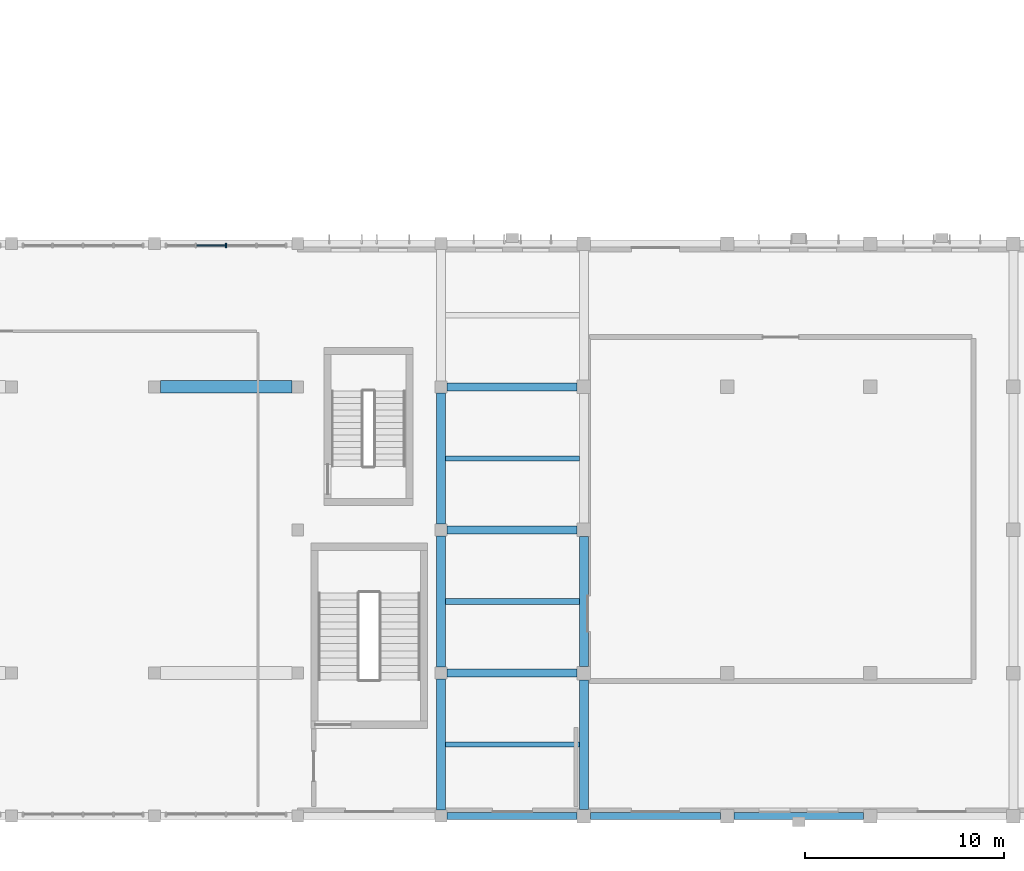
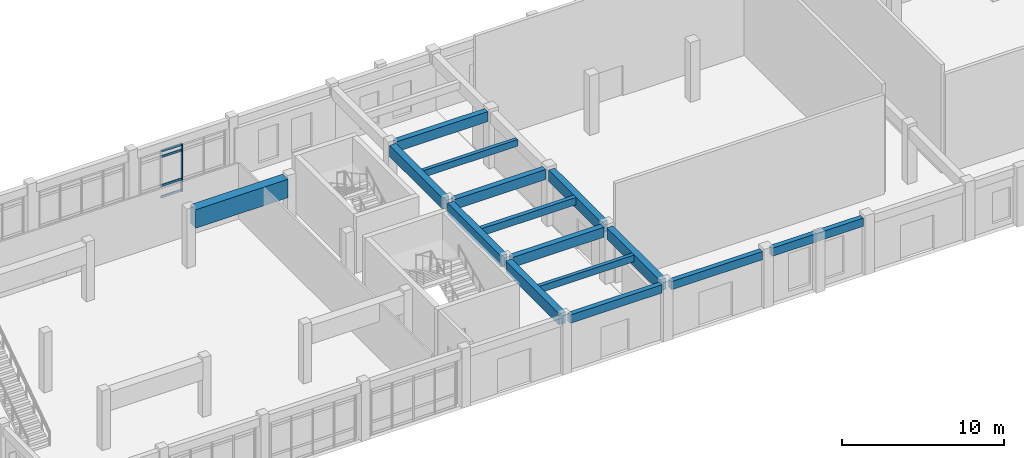
# One storey, part 13 of 43: 15 beams, 5 members, 1 element without a shape of its own.
"""IFC4 building model written with IfcOpenShell, lengths in metres."""

from ifc_helpers import new_model, si_unit, direction, frame, origin, origin_2d, place, context, subcontext, project, spatial, rectangle, extrude, material, material_profile, profile_set, type_object, element, aggregate, save


model = new_model("IFC4")

# Units and contexts
model_context = context("Model", 3, precision=1e-05, world=origin(), true_north=direction((0.0, 1.0)))
body_context = subcontext(model_context, "Body", "Model", "MODEL_VIEW")
ifc_project = project(units=[si_unit("LENGTHUNIT", "METRE"), si_unit("AREAUNIT", "SQUARE_METRE"), si_unit("VOLUMEUNIT", "CUBIC_METRE"), si_unit("PLANEANGLEUNIT", "RADIAN"), si_unit("MASSUNIT", "GRAM", prefix="KILO")], contexts=[model_context])

# Site, building, storey
site_placement = place(None, origin())
site = spatial("IfcSite", under=ifc_project, at=site_placement, CompositionType="ELEMENT")
building_placement = place(site_placement, origin())
building = spatial("IfcBuilding", under=site, at=building_placement, Name="Alvorim Cloister Faculty of Sciences", CompositionType="ELEMENT")
storey_placement = place(building_placement, origin())
storey = spatial("IfcBuildingStorey", under=building, at=storey_placement, Name="L00", CompositionType="ELEMENT", Elevation=0.0)

# Beams
ifc_material_1 = material(Name="Concrete C40", Category="concrete")
ifc_material_profile_1 = material_profile(ifc_material_1, rectangle(XDim=0.260009765625, YDim=0.5, at=origin_2d()), Name="RC40-JST-260x500")
ifc_profile_set_1 = profile_set([ifc_material_profile_1], Name="Concrete C40")
beam_type_1 = type_object("IfcBeamType", Name="BM-JST-RC-260x500", PredefinedType="JOIST", material=ifc_profile_set_1)
for number, where, z_axis, x_axis, name in (
    (1, (108.22509765625, 3.60009765625, 4.0), (1.0, 0.0, 0.0), (0.0, 1.0, 0.0), "L00 Secondary Floor Joist BM-0879"),
    (2, (108.22509765625, 18.0, 4.0), (1.0, 0.0, 0.0), (0.0, 1.0, 0.0), "L00 Secondary Floor Joist BM-0881"),
):
    element("IfcBeam", number, at=place(storey_placement, frame(where, z_axis=z_axis, x_axis=x_axis)), inside=storey, type_object=beam_type_1, Name=name, PredefinedType="JOIST", context=body_context, shape_type="SweptSolid", body=[
        extrude(rectangle(XDim=0.260009765625, YDim=0.5, at=origin_2d()), origin(), (0.0, 0.0, 1.0), 6.75),
    ])
ifc_material_profile_2 = material_profile(ifc_material_1, rectangle(XDim=0.300048828125, YDim=0.550048828125, at=origin_2d()), Name="RC40-JST-300x550")
ifc_profile_set_2 = profile_set([ifc_material_profile_2], Name="Concrete C40")
beam_type_2 = type_object("IfcBeamType", Name="BM-JST-RC-300x550", PredefinedType="JOIST", material=ifc_profile_set_2)
beam_1_placement = place(storey_placement, frame((108.22509765625, 10.800048828125, 3.97509765625), z_axis=(1.0, 0.0, 0.0), x_axis=(0.0, 1.0, 0.0)))
element("IfcBeam", 3, at=beam_1_placement, inside=storey, type_object=beam_type_2, Name="L00 Secondary Floor Joist BM-0880", PredefinedType="JOIST", context=body_context, shape_type="SweptSolid", body=[
    extrude(rectangle(XDim=0.300048828125, YDim=0.550048828125, at=origin_2d()), origin(), (0.0, 0.0, 1.0), 6.75),
])
ifc_material_profile_3 = material_profile(ifc_material_1, rectangle(XDim=0.39990234375, YDim=0.75, at=origin_2d()), Name="RC40-BM-400x750")
ifc_profile_set_3 = profile_set([ifc_material_profile_3], Name="Concrete C40")
beam_type_3 = type_object("IfcBeamType", Name="BM-RC-400x750", PredefinedType="BEAM", material=ifc_profile_set_3)
for number, where, z_axis, x_axis, name in (
    (4, (108.300048828125, 7.199951171875, 3.875), (1.0, 0.0, 0.0), (0.0, 1.0, 0.0), "L00 Primary Beam BM-0618"),
    (5, (108.300048828125, 14.39990234375, 3.875), (1.0, 0.0, 0.0), (0.0, 1.0, 0.0), "L00 Primary Beam BM-0627"),
    (6, (108.300048828125, 21.60009765625, 3.875), (1.0, 0.0, 0.0), (0.0, 1.0, 0.0), "L00 Primary Beam BM-0631"),
):
    element("IfcBeam", number, at=place(storey_placement, frame(where, z_axis=z_axis, x_axis=x_axis)), inside=storey, type_object=beam_type_3, Name=name, PredefinedType="BEAM", context=body_context, shape_type="SweptSolid", body=[
        extrude(rectangle(XDim=0.39990234375, YDim=0.75, at=origin_2d()), origin(), (0.0, 0.0, 1.0), 6.56005859375),
    ])
ifc_material_profile_4 = material_profile(ifc_material_1, rectangle(XDim=0.449951171875, YDim=0.85009765625, at=origin_2d()), Name="RC40-BM-450x850")
ifc_profile_set_4 = profile_set([ifc_material_profile_4], Name="Concrete C40")
beam_type_4 = type_object("IfcBeamType", Name="BM-RC-450x850", PredefinedType="BEAM", material=ifc_profile_set_4)
beam_2_placement = place(storey_placement, frame((108.0, 0.300048828125, 3.824951171875), z_axis=(0.0, 1.0, 0.0), x_axis=(-1.0, 0.0, 0.0)))
element("IfcBeam", 7, at=beam_2_placement, inside=storey, type_object=beam_type_4, Name="L00 Primary Girder BM-0798", PredefinedType="BEAM", context=body_context, shape_type="SweptSolid", body=[
    extrude(rectangle(XDim=0.449951171875, YDim=0.85009765625, at=origin_2d()), origin(), (0.0, 0.0, 1.0), 6.599853515625),
])
for number, where, z_axis, x_axis, name in (
    (8, (108.0, 7.5, 3.824951171875), (0.0, 1.0, 0.0), (-1.0, 0.0, 0.0), "L00 Primary Girder BM-0799"),
    (9, (108.0, 14.699951171875, 3.824951171875), (0.0, 1.0, 0.0), (-1.0, 0.0, 0.0), "L00 Primary Girder BM-0800"),
):
    element("IfcBeam", number, at=place(storey_placement, frame(where, z_axis=z_axis, x_axis=x_axis)), inside=storey, type_object=beam_type_4, Name=name, PredefinedType="BEAM", context=body_context, shape_type="SweptSolid", body=[
        extrude(rectangle(XDim=0.449951171875, YDim=0.85009765625, at=origin_2d()), origin(), (0.0, 0.0, 1.0), 6.60009765625),
    ])
for number, where, z_axis, x_axis, name in (
    (10, (115.199951171875, 0.340087890625, 3.824951171875), (0.0, 1.0, 0.0), (-1.0, 0.0, 0.0), "L00 Primary Girder BM-0802"),
    (11, (115.199951171875, 7.5400390625, 3.824951171875), (0.0, 1.0, 0.0), (-1.0, 0.0, 0.0), "L00 Primary Girder BM-0803"),
):
    element("IfcBeam", number, at=place(storey_placement, frame(where, z_axis=z_axis, x_axis=x_axis)), inside=storey, type_object=beam_type_4, Name=name, PredefinedType="BEAM", context=body_context, shape_type="SweptSolid", body=[
        extrude(rectangle(XDim=0.449951171875, YDim=0.85009765625, at=origin_2d()), origin(), (0.0, 0.0, 1.0), 6.52001953125),
    ])
ifc_material_profile_5 = material_profile(ifc_material_1, rectangle(XDim=0.35009765625, YDim=0.6201171875, at=origin_2d()), Name="RC40-SPD-350x620")
ifc_profile_set_5 = profile_set([ifc_material_profile_5], Name="Concrete C40")
beam_type_5 = type_object("IfcBeamType", Name="BM-SPD-RC-350x620", PredefinedType="SPANDREL", material=ifc_profile_set_5)
beam_3_placement = place(storey_placement, frame((108.300048828125, 0.0, 3.93994140625), z_axis=(1.0, 0.0, 0.0), x_axis=(0.0, 1.0, 0.0)))
element("IfcBeam", 12, at=beam_3_placement, inside=storey, type_object=beam_type_5, Name="L00 Primary Beam BM-0603", PredefinedType="SPANDREL", context=body_context, shape_type="SweptSolid", body=[
    extrude(rectangle(XDim=0.35009765625, YDim=0.6201171875, at=origin_2d()), origin(), (0.0, 0.0, 1.0), 6.56005859375),
])
for number, where, z_axis, x_axis, name in (
    (13, (115.5400390625, 0.0, 3.93994140625), (1.0, 0.0, 0.0), (0.0, 1.0, 0.0), "L00 Primary Beam BM-0604"),
    (14, (122.739990234375, 0.0, 3.93994140625), (1.0, 0.0, 0.0), (0.0, 1.0, 0.0), "L00 Primary Beam BM-0605"),
):
    element("IfcBeam", number, at=place(storey_placement, frame(where, z_axis=z_axis, x_axis=x_axis)), inside=storey, type_object=beam_type_5, Name=name, PredefinedType="SPANDREL", context=body_context, shape_type="SweptSolid", body=[
        extrude(rectangle(XDim=0.35009765625, YDim=0.6201171875, at=origin_2d()), origin(), (0.0, 0.0, 1.0), 6.52001953125),
    ])
ifc_material_2 = material(Name="Concrete C45", Category="concrete")
ifc_material_profile_6 = material_profile(ifc_material_2, rectangle(XDim=0.64990234375, YDim=1.39990234375, at=origin_2d()), Name="RC45-TG-650x1400")
ifc_profile_set_6 = profile_set([ifc_material_profile_6], Name="Concrete C45")
beam_type_6 = type_object("IfcBeamType", Name="BM-TG-650x1400", PredefinedType="USERDEFINED", material=ifc_profile_set_6)
beam_4_placement = place(storey_placement, frame((93.89990234375, 21.60009765625, 3.550048828125), z_axis=(1.0, 0.0, 0.0), x_axis=(0.0, 1.0, 0.0)))
element("IfcBeam", 15, at=beam_4_placement, inside=storey, type_object=beam_type_6, Name="L00 Atrium Portal Transfer Girder BM-0233", ObjectType="TRANSFER GIRDER", PredefinedType="USERDEFINED", context=body_context, shape_type="SweptSolid", body=[
    extrude(rectangle(XDim=0.64990234375, YDim=1.39990234375, at=origin_2d()), origin(), (0.0, 0.0, 1.0), 6.60009765625),
])

# Curtain wall, members
ifc_material_3 = material(Name="Aluminium and Low-E Glass Curtain Wall", Category="aluminium")
curtain_wall_type = type_object("IfcCurtainWallType", Name="CW-GLZ-6120x3630", PredefinedType="USERDEFINED", material=ifc_material_3)
curtain_wall_placement = place(storey_placement, origin())
curtain_wall = element("IfcCurtainWall", 16, at=curtain_wall_placement, inside=storey, type_object=curtain_wall_type, Name="L00 Entrance and Atrium Glazed Curtain Wall CW-0006", ObjectType="UNITISED CURTAIN WALL", PredefinedType="USERDEFINED")
ifc_material_4 = material(Name="Aluminium Alloy 6063-T6", Category="aluminium")
ifc_material_profile_7 = material_profile(ifc_material_4, rectangle(XDim=0.074951171875, YDim=0.219970703125, at=origin_2d()), Name="ALU-MUL-75x220")
ifc_profile_set_7 = profile_set([ifc_material_profile_7], Name="Aluminium Alloy 6063-T6")
member_type_1 = type_object("IfcMemberType", Name="CW-MUL-75x220", PredefinedType="MULLION", material=ifc_profile_set_7)
member_1_placement = place(storey_placement, frame((97.199951171875, 28.7099609375, 0.0), z_axis=(0.0, 0.0, 1.0), x_axis=(1.0, 0.0, 0.0)))
member_1 = element("IfcMember", 17, at=member_1_placement, type_object=member_type_1, Name="CW-01 mullion 3", PredefinedType="MULLION", context=body_context, shape_type="SweptSolid", body=[
    extrude(rectangle(XDim=0.074951171875, YDim=0.219970703125, at=origin_2d()), origin(), (0.0, 0.0, 1.0), 3.6298828125),
])
ifc_material_profile_8 = material_profile(ifc_material_4, rectangle(XDim=0.074951171875, YDim=0.159912109375, at=origin_2d()), Name="ALU-TRN-75x160")
ifc_profile_set_8 = profile_set([ifc_material_profile_8], Name="Aluminium Alloy 6063-T6")
member_type_2 = type_object("IfcMemberType", Name="CW-TRN-75x160", PredefinedType="USERDEFINED", material=ifc_profile_set_8)
member_2_placement = place(storey_placement, frame((95.70751953125, 28.7099609375, 0.080078125), z_axis=(1.0, 0.0, 0.0), x_axis=(0.0, 1.0, 0.0)))
member_2 = element("IfcMember", 18, at=member_2_placement, type_object=member_type_2, Name="CW-01 transom 2.1", ObjectType="TRANSOM", PredefinedType="USERDEFINED", context=body_context, shape_type="SweptSolid", body=[
    extrude(rectangle(XDim=0.074951171875, YDim=0.159912109375, at=origin_2d()), origin(), (0.0, 0.0, 1.0), 1.455078125),
])
member_3_placement = place(storey_placement, frame((95.70751953125, 28.7099609375, 0.949951171875), z_axis=(1.0, 0.0, 0.0), x_axis=(0.0, 1.0, 0.0)))
member_3 = element("IfcMember", 19, at=member_3_placement, type_object=member_type_2, Name="CW-01 transom 2.2", ObjectType="TRANSOM", PredefinedType="USERDEFINED", context=body_context, shape_type="SweptSolid", body=[
    extrude(rectangle(XDim=0.074951171875, YDim=0.159912109375, at=origin_2d()), origin(), (0.0, 0.0, 1.0), 1.455078125),
])
member_4_placement = place(storey_placement, frame((95.70751953125, 28.7099609375, 3.1298828125), z_axis=(1.0, 0.0, 0.0), x_axis=(0.0, 1.0, 0.0)))
member_4 = element("IfcMember", 20, at=member_4_placement, type_object=member_type_2, Name="CW-01 transom 2.3", ObjectType="TRANSOM", PredefinedType="USERDEFINED", context=body_context, shape_type="SweptSolid", body=[
    extrude(rectangle(XDim=0.074951171875, YDim=0.159912109375, at=origin_2d()), origin(), (0.0, 0.0, 1.0), 1.455078125),
])
member_5_placement = place(storey_placement, frame((95.70751953125, 28.7099609375, 3.550048828125), z_axis=(1.0, 0.0, 0.0), x_axis=(0.0, 1.0, 0.0)))
member_5 = element("IfcMember", 21, at=member_5_placement, type_object=member_type_2, Name="CW-01 transom 2.4", ObjectType="TRANSOM", PredefinedType="USERDEFINED", context=body_context, shape_type="SweptSolid", body=[
    extrude(rectangle(XDim=0.074951171875, YDim=0.159912109375, at=origin_2d()), origin(), (0.0, 0.0, 1.0), 1.455078125),
])
aggregate(curtain_wall, [member_1, member_2, member_3, member_4, member_5])

save(model, "model.ifc")
